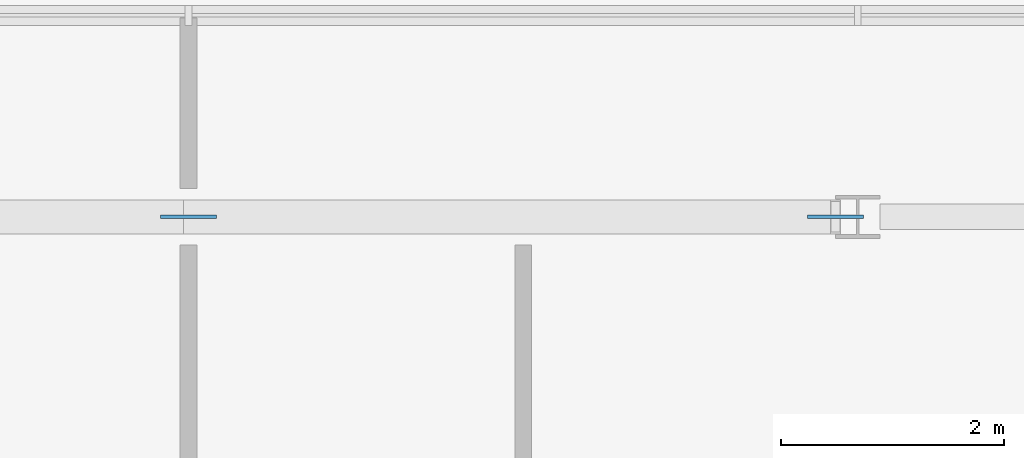
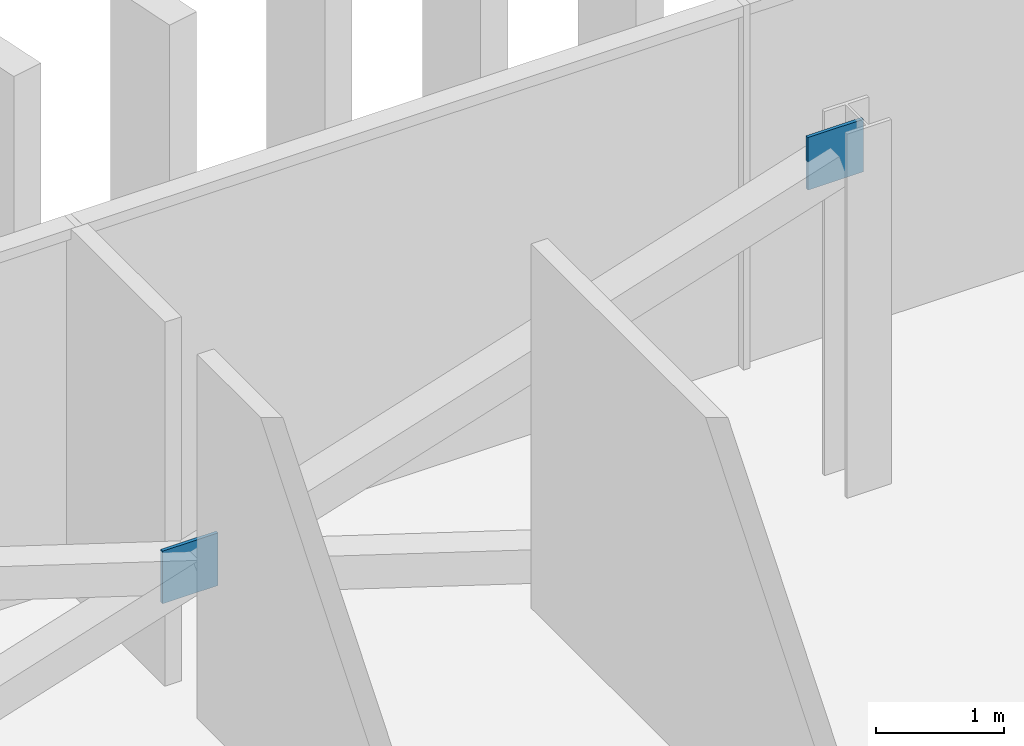
# One storey, part 24 of 32: 2 discrete accessories.
"""IFC4 building model written with IfcOpenShell, lengths in metres."""

from ifc_helpers import new_model, si_unit, direction, frame, origin, origin_2d, place, context, subcontext, project, spatial, rectangle, extrude, material, layer, layer_set, type_object, element, save


model = new_model("IFC4")

# Units and contexts
model_context = context("Model", 3, precision=1e-05, world=origin(), true_north=direction((0.0, 1.0)))
body_context = subcontext(model_context, "Body", "Model", "MODEL_VIEW")
ifc_project = project(units=[si_unit("LENGTHUNIT", "METRE"), si_unit("AREAUNIT", "SQUARE_METRE"), si_unit("VOLUMEUNIT", "CUBIC_METRE"), si_unit("PLANEANGLEUNIT", "RADIAN"), si_unit("MASSUNIT", "GRAM", prefix="KILO")], contexts=[model_context])

# Site, building, storey
site_placement = place(None, origin())
site = spatial("IfcSite", under=ifc_project, at=site_placement, CompositionType="ELEMENT")
building_placement = place(site_placement, origin())
building = spatial("IfcBuilding", under=site, at=building_placement, Name="Mahtab Terrace Research Tower", CompositionType="ELEMENT")
storey_placement = place(building_placement, frame((0.0, 0.0, 236.199951171875)))
storey = spatial("IfcBuildingStorey", under=building, at=storey_placement, Name="L57", CompositionType="ELEMENT", Elevation=236.199951171875)

# Discrete accessories
ifc_material = material(Name="Steel ASTM A992 Gr 50", Category="steel")
ifc_layer = layer(ifc_material, 0.030029296875)
ifc_layer_set = layer_set([ifc_layer], Name="Gusset plate 500x500x30")
discrete_accessory_type = type_object("IfcDiscreteAccessoryType", Name="Gusset plate 500x500x30", PredefinedType="USERDEFINED", material=ifc_layer_set)
for number, where, z_axis, x_axis, name in (
    (1, (0.0, 26.472900390625, 1.00634765625), (0.0, 0.0, 1.0), (1.0, 0.0, 0.0), "Gusset plate"),
    (2, (5.800537109375, 26.472900390625, 2.906494140625), (0.0, 0.0, 1.0), (1.0, 0.0, 0.0), "Gusset plate"),
):
    element("IfcDiscreteAccessory", number, at=place(storey_placement, frame(where, z_axis=z_axis, x_axis=x_axis)), inside=storey, type_object=discrete_accessory_type, Name=name, ObjectType="GUSSET PLATE", PredefinedType="USERDEFINED", context=body_context, shape_type="SweptSolid", body=[
        extrude(rectangle(XDim=0.5, YDim=0.030029296875, at=origin_2d()), origin(), (0.0, 0.0, 1.0), 0.5),
    ])

save(model, "model.ifc")
